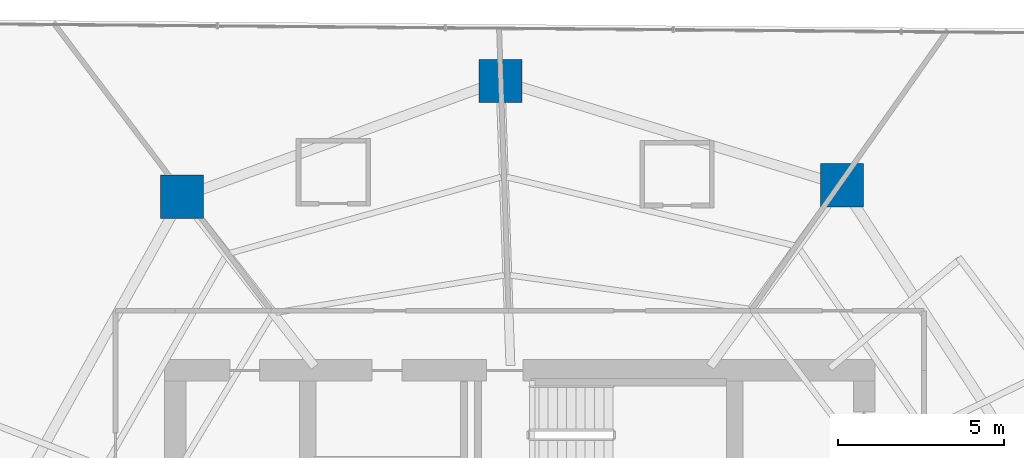
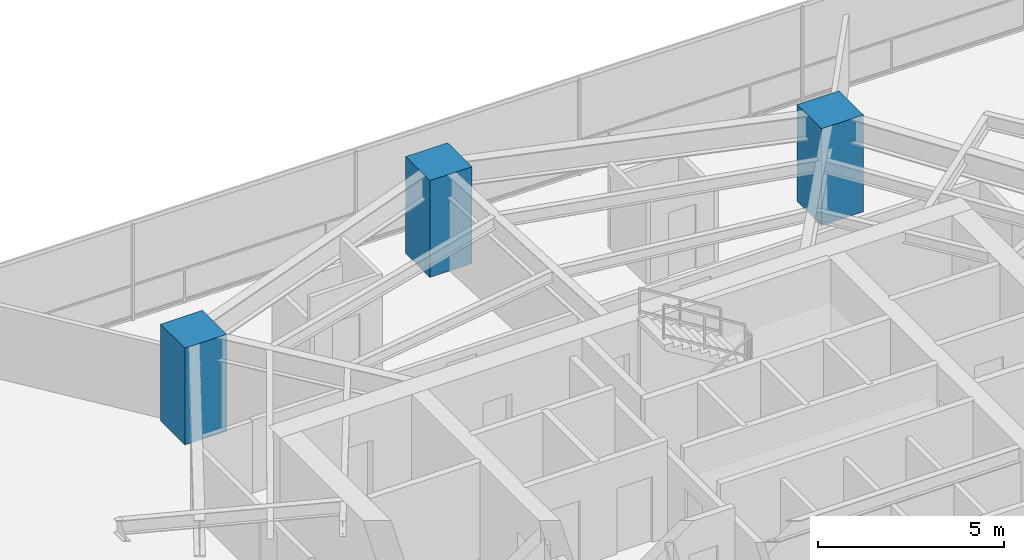
# One storey, part 2 of 31: 3 columns.
"""IFC4 building model written with IfcOpenShell, lengths in metres."""

from ifc_helpers import new_model, si_unit, direction, frame, origin, origin_2d, place, context, subcontext, project, spatial, rectangle, extrude, material, material_profile, profile_set, type_object, element, save


model = new_model("IFC4")

# Units and contexts
model_context = context("Model", 3, precision=1e-05, world=origin(), true_north=direction((0.0, 1.0)))
body_context = subcontext(model_context, "Body", "Model", "MODEL_VIEW")
ifc_project = project(units=[si_unit("LENGTHUNIT", "METRE"), si_unit("AREAUNIT", "SQUARE_METRE"), si_unit("VOLUMEUNIT", "CUBIC_METRE"), si_unit("PLANEANGLEUNIT", "RADIAN"), si_unit("MASSUNIT", "GRAM", prefix="KILO")], contexts=[model_context])

# Site, building, storey
site_placement = place(None, origin())
site = spatial("IfcSite", under=ifc_project, at=site_placement, CompositionType="ELEMENT")
building_placement = place(site_placement, origin())
building = spatial("IfcBuilding", under=site, at=building_placement, Name="Qarnah Convention Tower", CompositionType="ELEMENT")
storey_placement = place(building_placement, frame((0.0, 0.0, 64.949951171875)))
storey = spatial("IfcBuildingStorey", under=building, at=storey_placement, Name="L16", CompositionType="ELEMENT", Elevation=64.949951171875)

# Columns
ifc_material = material(Name="Concrete C60/75", Category="concrete")
ifc_material_profile = material_profile(ifc_material, rectangle(XDim=1.300048828125, YDim=1.300048828125, at=origin_2d()), Name="RC-COL-1300X1300")
ifc_profile_set = profile_set([ifc_material_profile], Name="Concrete C60/75")
column_type = type_object("IfcColumnType", Name="COL-Z1-1300", PredefinedType="COLUMN", material=ifc_profile_set)
for number, where, z_axis, x_axis, name in (
    (1, (46.927978515625, 39.7890625, 0.0), (0.0, 0.0, 1.0), (1.0, 0.0, 0.0), "L16 plumb column PC-Z1-02"),
    (2, (36.6220703125, 42.93994140625, 0.0), (0.0, 0.0, 1.0), (1.0, 0.0, 0.0), "L16 plumb column PC-Z1-03"),
    (3, (27.010986328125, 39.44189453125, 0.0), (0.0, 0.0, 1.0), (1.0, 0.0, 0.0), "L16 plumb column PC-Z1-04"),
):
    element("IfcColumn", number, at=place(storey_placement, frame(where, z_axis=z_axis, x_axis=x_axis)), inside=storey, type_object=column_type, Name=name, PredefinedType="COLUMN", context=body_context, shape_type="SweptSolid", body=[
        extrude(rectangle(XDim=1.300048828125, YDim=1.300048828125, at=origin_2d()), origin(), (0.0, 0.0, 1.0), 3.170166015625),
    ])

save(model, "model.ifc")
